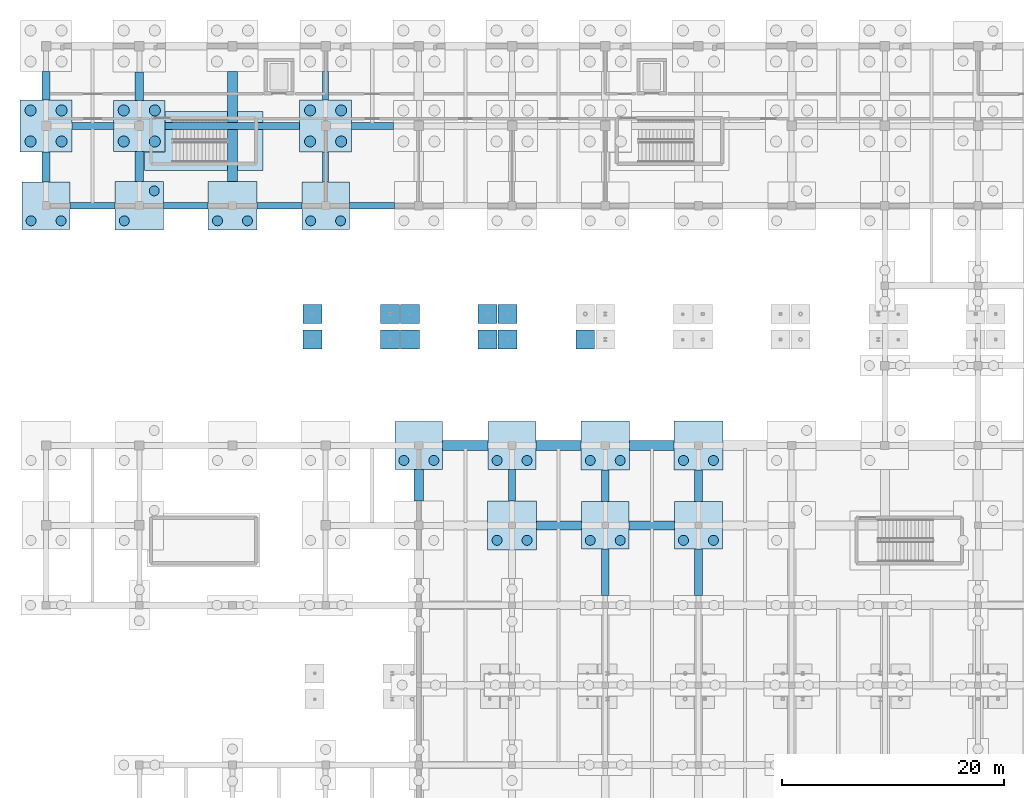
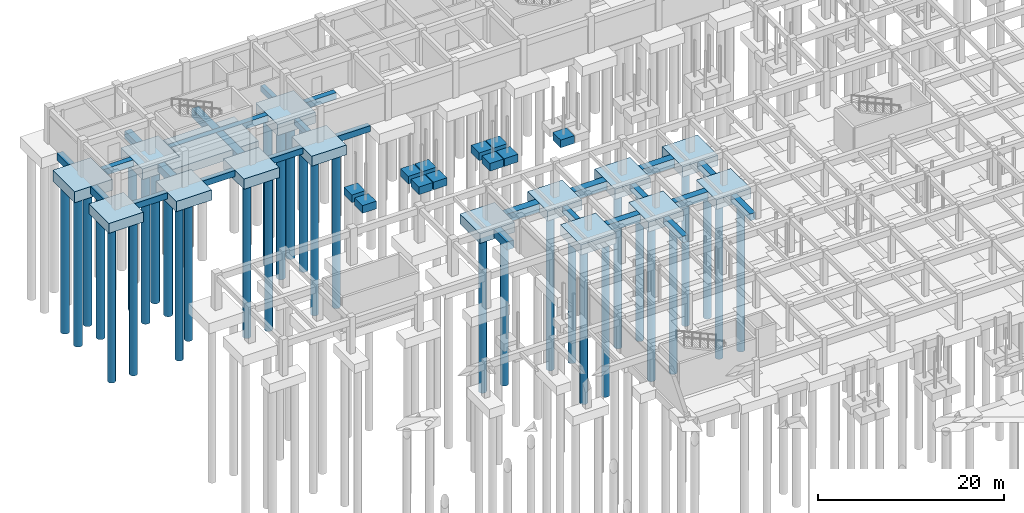
# One storey, part 7 of 80: 51 footings, 34 piles.
"""IFC4 building model written with IfcOpenShell, lengths in metres."""

from ifc_helpers import new_model, si_unit, direction, frame, origin, origin_2d, place, context, subcontext, project, spatial, polyline, rectangle, circle, outline, extrude, material, material_profile, profile_set, type_object, element, save


model = new_model("IFC4")

# Units and contexts
model_context = context("Model", 3, precision=1e-05, world=origin(), true_north=direction((0.0, 1.0)))
body_context = subcontext(model_context, "Body", "Model", "MODEL_VIEW")
ifc_project = project(units=[si_unit("LENGTHUNIT", "METRE"), si_unit("AREAUNIT", "SQUARE_METRE"), si_unit("VOLUMEUNIT", "CUBIC_METRE"), si_unit("PLANEANGLEUNIT", "RADIAN"), si_unit("MASSUNIT", "GRAM", prefix="KILO")], contexts=[model_context])

# Site, building, storey
site_placement = place(None, origin())
site = spatial("IfcSite", under=ifc_project, at=site_placement, CompositionType="ELEMENT")
building_placement = place(site_placement, origin())
building = spatial("IfcBuilding", under=site, at=building_placement, Name="Malvenik Polytechnic", CompositionType="ELEMENT")
storey_placement = place(building_placement, frame((0.0, 0.0, -4.800048828125)))
storey = spatial("IfcBuildingStorey", under=building, at=storey_placement, Name="B1", CompositionType="ELEMENT", Elevation=-4.800048828125)

# Footings
ifc_material = material(Name="Concrete C35/45", Category="concrete")
footing_type_1 = type_object("IfcFootingType", Name="STR-PC-4600x4600x1400", PredefinedType="PILE_CAP", material=ifc_material)
footing_1_placement = place(storey_placement, frame((8.39990234375, 122.39990234375, -1.39990234375), z_axis=(0.0, 0.0, 1.0), x_axis=(1.0, 0.0, 0.0)))
element("IfcFooting", 1, at=footing_1_placement, inside=storey, type_object=footing_type_1, Name="Pile Cap PC-05 #18", PredefinedType="PILE_CAP", context=body_context, shape_type="SweptSolid", body=[
    extrude(rectangle(XDim=4.60009765625, YDim=4.60009765625, at=origin_2d()), origin(), (0.0, 0.0, 1.0), 1.39990234375),
])
footing_type_2 = type_object("IfcFootingType", Name="STR-PC-4700x4700x1450", PredefinedType="PILE_CAP", material=ifc_material)
for number, where, z_axis, x_axis, name in (
    (2, (0.0, 122.39990234375, -1.44970703125), (0.0, 0.0, 1.0), (1.0, 0.0, 0.0), "Pile Cap PC-12 #5"),
    (3, (25.199951171875, 122.39990234375, -1.44970703125), (0.0, 0.0, 1.0), (1.0, 0.0, 0.0), "Pile Cap PC-12 #39"),
):
    element("IfcFooting", number, at=place(storey_placement, frame(where, z_axis=z_axis, x_axis=x_axis)), inside=storey, type_object=footing_type_2, Name=name, PredefinedType="PILE_CAP", context=body_context, shape_type="SweptSolid", body=[
        extrude(rectangle(XDim=4.699951171875, YDim=4.699951171875, at=origin_2d()), origin(), (0.0, 0.0, 1.0), 1.449951171875),
    ])
footing_type_3 = type_object("IfcFootingType", Name="STR-PC-COMB-03", PredefinedType="PILE_CAP", material=ifc_material)
footing_2_placement = place(storey_placement, frame((0.0, 115.199951171875, -1.2998046875), z_axis=(0.0, 0.0, 1.0), x_axis=(1.0, 0.0, 0.0)))
element("IfcFooting", 4, at=footing_2_placement, inside=storey, type_object=footing_type_3, Name="Pile Cap PCC-03 #4", PredefinedType="PILE_CAP", context=body_context, shape_type="SweptSolid", body=[
    extrude(rectangle(XDim=4.300048828125, YDim=4.300048828125, at=origin_2d()), origin(), (0.0, 0.0, 1.0), 1.300048828125),
])
footing_type_4 = type_object("IfcFootingType", Name="STR-PC-COMB-06", PredefinedType="PILE_CAP", material=ifc_material)
footing_3_placement = place(storey_placement, frame((8.39990234375, 115.199951171875, -1.35009765625), z_axis=(0.0, 0.0, 1.0), x_axis=(1.0, 0.0, 0.0)))
element("IfcFooting", 5, at=footing_3_placement, inside=storey, type_object=footing_type_4, Name="Pile Cap PCC-06 #17", PredefinedType="PILE_CAP", context=body_context, shape_type="SweptSolid", body=[
    extrude(rectangle(XDim=4.39990234375, YDim=4.39990234375, at=origin_2d()), origin(), (0.0, 0.0, 1.0), 1.35009765625),
])
footing_type_5 = type_object("IfcFootingType", Name="STR-PC-COMB-08", PredefinedType="PILE_CAP", material=ifc_material)
footing_4_placement = place(storey_placement, frame((16.800048828125, 115.199951171875, -1.35009765625), z_axis=(0.0, 0.0, 1.0), x_axis=(1.0, 0.0, 0.0)))
element("IfcFooting", 6, at=footing_4_placement, inside=storey, type_object=footing_type_5, Name="Pile Cap PCC-08 #27", PredefinedType="PILE_CAP", context=body_context, shape_type="SweptSolid", body=[
    extrude(rectangle(XDim=4.39990234375, YDim=4.39990234375, at=origin_2d()), origin(), (0.0, 0.0, 1.0), 1.35009765625),
])
footing_type_6 = type_object("IfcFootingType", Name="STR-PC-COMB-11", PredefinedType="PILE_CAP", material=ifc_material)
footing_5_placement = place(storey_placement, frame((25.199951171875, 115.199951171875, -1.2998046875), z_axis=(0.0, 0.0, 1.0), x_axis=(1.0, 0.0, 0.0)))
element("IfcFooting", 7, at=footing_5_placement, inside=storey, type_object=footing_type_6, Name="Pile Cap PCC-11 #38", PredefinedType="PILE_CAP", context=body_context, shape_type="SweptSolid", body=[
    extrude(rectangle(XDim=4.300048828125, YDim=4.300048828125, at=origin_2d()), origin(), (0.0, 0.0, 1.0), 1.300048828125),
])
footing_type_7 = type_object("IfcFootingType", Name="STR-PC-COMB-14", PredefinedType="PILE_CAP", material=ifc_material)
footing_6_placement = place(storey_placement, frame((33.60009765625, 93.60009765625, -1.2998046875), z_axis=(0.0, 0.0, 1.0), x_axis=(1.0, 0.0, 0.0)))
element("IfcFooting", 8, at=footing_6_placement, inside=storey, type_object=footing_type_7, Name="Pile Cap PCC-14 #53", PredefinedType="PILE_CAP", context=body_context, shape_type="SweptSolid", body=[
    extrude(rectangle(XDim=4.300048828125, YDim=4.300048828125, at=origin_2d()), origin(), (0.0, 0.0, 1.0), 1.300048828125),
])
footing_type_8 = type_object("IfcFootingType", Name="STR-PC-COMB-16", PredefinedType="PILE_CAP", material=ifc_material)
footing_7_placement = place(storey_placement, frame((42.0, 86.39990234375, -1.35009765625), z_axis=(0.0, 0.0, 1.0), x_axis=(1.0, 0.0, 0.0)))
element("IfcFooting", 9, at=footing_7_placement, inside=storey, type_object=footing_type_8, Name="Pile Cap PCC-16 #64", PredefinedType="PILE_CAP", context=body_context, shape_type="SweptSolid", body=[
    extrude(rectangle(XDim=4.39990234375, YDim=4.39990234375, at=origin_2d()), origin(), (0.0, 0.0, 1.0), 1.35009765625),
])
footing_type_9 = type_object("IfcFootingType", Name="STR-PC-COMB-17", PredefinedType="PILE_CAP", material=ifc_material)
footing_8_placement = place(storey_placement, frame((42.0, 93.60009765625, -1.2998046875), z_axis=(0.0, 0.0, 1.0), x_axis=(1.0, 0.0, 0.0)))
element("IfcFooting", 10, at=footing_8_placement, inside=storey, type_object=footing_type_9, Name="Pile Cap PCC-17 #65", PredefinedType="PILE_CAP", context=body_context, shape_type="SweptSolid", body=[
    extrude(rectangle(XDim=4.300048828125, YDim=4.300048828125, at=origin_2d()), origin(), (0.0, 0.0, 1.0), 1.300048828125),
])
footing_type_10 = type_object("IfcFootingType", Name="STR-PC-COMB-20", PredefinedType="PILE_CAP", material=ifc_material)
footing_9_placement = place(storey_placement, frame((50.39990234375, 86.39990234375, -1.2998046875), z_axis=(0.0, 0.0, 1.0), x_axis=(1.0, 0.0, 0.0)))
element("IfcFooting", 11, at=footing_9_placement, inside=storey, type_object=footing_type_10, Name="Pile Cap PCC-20 #77", PredefinedType="PILE_CAP", context=body_context, shape_type="SweptSolid", body=[
    extrude(rectangle(XDim=4.300048828125, YDim=4.300048828125, at=origin_2d()), origin(), (0.0, 0.0, 1.0), 1.300048828125),
])
footing_type_11 = type_object("IfcFootingType", Name="STR-PC-COMB-21", PredefinedType="PILE_CAP", material=ifc_material)
footing_10_placement = place(storey_placement, frame((50.39990234375, 93.60009765625, -1.35009765625), z_axis=(0.0, 0.0, 1.0), x_axis=(1.0, 0.0, 0.0)))
element("IfcFooting", 12, at=footing_10_placement, inside=storey, type_object=footing_type_11, Name="Pile Cap PCC-21 #78", PredefinedType="PILE_CAP", context=body_context, shape_type="SweptSolid", body=[
    extrude(rectangle(XDim=4.39990234375, YDim=4.39990234375, at=origin_2d()), origin(), (0.0, 0.0, 1.0), 1.35009765625),
])
footing_type_12 = type_object("IfcFootingType", Name="STR-PC-COMB-23", PredefinedType="PILE_CAP", material=ifc_material)
footing_11_placement = place(storey_placement, frame((58.800048828125, 86.39990234375, -1.2998046875), z_axis=(0.0, 0.0, 1.0), x_axis=(1.0, 0.0, 0.0)))
element("IfcFooting", 13, at=footing_11_placement, inside=storey, type_object=footing_type_12, Name="Pile Cap PCC-23 #89", PredefinedType="PILE_CAP", context=body_context, shape_type="SweptSolid", body=[
    extrude(rectangle(XDim=4.300048828125, YDim=4.300048828125, at=origin_2d()), origin(), (0.0, 0.0, 1.0), 1.300048828125),
])
footing_type_13 = type_object("IfcFootingType", Name="STR-PC-COMB-24", PredefinedType="PILE_CAP", material=ifc_material)
footing_12_placement = place(storey_placement, frame((58.800048828125, 93.60009765625, -1.35009765625), z_axis=(0.0, 0.0, 1.0), x_axis=(1.0, 0.0, 0.0)))
element("IfcFooting", 14, at=footing_12_placement, inside=storey, type_object=footing_type_13, Name="Pile Cap PCC-24 #90", PredefinedType="PILE_CAP", context=body_context, shape_type="SweptSolid", body=[
    extrude(rectangle(XDim=4.39990234375, YDim=4.39990234375, at=origin_2d()), origin(), (0.0, 0.0, 1.0), 1.35009765625),
])

# Piles
ifc_material_profile_1 = material_profile(ifc_material, circle(Radius=0.5, at=origin_2d()), Name="BORED PILE D1000")
ifc_profile_set_1 = profile_set([ifc_material_profile_1], Name="Concrete C35/45")
pile_type_1 = type_object("IfcPileType", Name="STR-PL-D1000-196", PredefinedType="BORED", material=ifc_profile_set_1)
for number, where, z_axis, x_axis, name in (
    (15, (-1.39990234375, 121.0, -1.349853515625), (0.0, 0.0, -1.0), (1.0, 0.0, 0.0), "Bored Pile PL-04 #9"),
    (16, (-1.39990234375, 123.800048828125, -1.349853515625), (0.0, 0.0, -1.0), (1.0, 0.0, 0.0), "Bored Pile PL-04 #10"),
    (17, (1.39990234375, 121.0, -1.349853515625), (0.0, 0.0, -1.0), (1.0, 0.0, 0.0), "Bored Pile PL-04 #11"),
    (18, (1.39990234375, 123.800048828125, -1.349853515625), (0.0, 0.0, -1.0), (1.0, 0.0, 0.0), "Bored Pile PL-04 #12"),
    (19, (7.0, 121.0, -1.300048828125), (0.0, 0.0, -1.0), (1.0, 0.0, 0.0), "Bored Pile PL-04 #39"),
    (20, (7.0, 123.800048828125, -1.300048828125), (0.0, 0.0, -1.0), (1.0, 0.0, 0.0), "Bored Pile PL-04 #40"),
    (21, (9.800048828125, 121.0, -1.300048828125), (0.0, 0.0, -1.0), (1.0, 0.0, 0.0), "Bored Pile PL-04 #41"),
    (22, (9.800048828125, 123.800048828125, -1.300048828125), (0.0, 0.0, -1.0), (1.0, 0.0, 0.0), "Bored Pile PL-04 #42"),
    (23, (23.800048828125, 121.0, -1.349853515625), (0.0, 0.0, -1.0), (1.0, 0.0, 0.0), "Bored Pile PL-04 #87"),
    (24, (23.800048828125, 123.800048828125, -1.349853515625), (0.0, 0.0, -1.0), (1.0, 0.0, 0.0), "Bored Pile PL-04 #88"),
    (25, (26.60009765625, 121.0, -1.349853515625), (0.0, 0.0, -1.0), (1.0, 0.0, 0.0), "Bored Pile PL-04 #89"),
    (26, (26.60009765625, 123.800048828125, -1.349853515625), (0.0, 0.0, -1.0), (1.0, 0.0, 0.0), "Bored Pile PL-04 #90"),
):
    element("IfcPile", number, at=place(storey_placement, frame(where, z_axis=z_axis, x_axis=x_axis)), inside=storey, type_object=pile_type_1, Name=name, PredefinedType="BORED", context=body_context, shape_type="SweptSolid", body=[
        extrude(circle(Radius=0.5, at=origin_2d()), origin(), (0.0, 0.0, 1.0), 19.60009765625),
    ])
ifc_material_profile_2 = material_profile(ifc_material, circle(Radius=0.449951171875, at=origin_2d()), Name="BORED PILE D900")
ifc_profile_set_2 = profile_set([ifc_material_profile_2], Name="Concrete C35/45")
pile_type_2 = type_object("IfcPileType", Name="STR-PL-D900-202", PredefinedType="BORED", material=ifc_profile_set_2)
for number, where, z_axis, x_axis, name in (
    (27, (-1.35009765625, 113.85009765625, -1.199951171875), (0.0, 0.0, -1.0), (1.0, 0.0, 0.0), "Bored Pile PL-03 #7"),
    (28, (1.35009765625, 113.85009765625, -1.199951171875), (0.0, 0.0, -1.0), (1.0, 0.0, 0.0), "Bored Pile PL-03 #8"),
    (29, (7.050048828125, 113.85009765625, -1.25), (0.0, 0.0, -1.0), (1.0, 0.0, 0.0), "Bored Pile PL-03 #37"),
    (30, (9.75, 116.550048828125, -1.25), (0.0, 0.0, -1.0), (1.0, 0.0, 0.0), "Bored Pile PL-03 #38"),
    (31, (15.449951171875, 113.85009765625, -1.25), (0.0, 0.0, -1.0), (1.0, 0.0, 0.0), "Bored Pile PL-03 #61"),
    (32, (18.14990234375, 113.85009765625, -1.25), (0.0, 0.0, -1.0), (1.0, 0.0, 0.0), "Bored Pile PL-03 #62"),
    (33, (23.85009765625, 113.85009765625, -1.199951171875), (0.0, 0.0, -1.0), (1.0, 0.0, 0.0), "Bored Pile PL-03 #85"),
    (34, (26.550048828125, 113.85009765625, -1.199951171875), (0.0, 0.0, -1.0), (1.0, 0.0, 0.0), "Bored Pile PL-03 #86"),
    (35, (32.25, 92.25, -1.199951171875), (0.0, 0.0, -1.0), (1.0, 0.0, 0.0), "Bored Pile PL-03 #119"),
    (36, (34.949951171875, 92.25, -1.199951171875), (0.0, 0.0, -1.0), (1.0, 0.0, 0.0), "Bored Pile PL-03 #120"),
    (37, (40.64990234375, 85.050048828125, -1.25), (0.0, 0.0, -1.0), (1.0, 0.0, 0.0), "Bored Pile PL-03 #145"),
    (38, (43.35009765625, 85.050048828125, -1.25), (0.0, 0.0, -1.0), (1.0, 0.0, 0.0), "Bored Pile PL-03 #146"),
    (39, (40.64990234375, 92.25, -1.199951171875), (0.0, 0.0, -1.0), (1.0, 0.0, 0.0), "Bored Pile PL-03 #147"),
    (40, (43.35009765625, 92.25, -1.199951171875), (0.0, 0.0, -1.0), (1.0, 0.0, 0.0), "Bored Pile PL-03 #148"),
    (41, (49.050048828125, 85.050048828125, -1.199951171875), (0.0, 0.0, -1.0), (1.0, 0.0, 0.0), "Bored Pile PL-03 #177"),
    (42, (51.75, 85.050048828125, -1.199951171875), (0.0, 0.0, -1.0), (1.0, 0.0, 0.0), "Bored Pile PL-03 #178"),
    (43, (49.050048828125, 92.25, -1.25), (0.0, 0.0, -1.0), (1.0, 0.0, 0.0), "Bored Pile PL-03 #179"),
    (44, (51.75, 92.25, -1.25), (0.0, 0.0, -1.0), (1.0, 0.0, 0.0), "Bored Pile PL-03 #180"),
    (45, (57.449951171875, 85.050048828125, -1.199951171875), (0.0, 0.0, -1.0), (1.0, 0.0, 0.0), "Bored Pile PL-03 #205"),
    (46, (60.14990234375, 85.050048828125, -1.199951171875), (0.0, 0.0, -1.0), (1.0, 0.0, 0.0), "Bored Pile PL-03 #206"),
    (47, (57.449951171875, 92.25, -1.25), (0.0, 0.0, -1.0), (1.0, 0.0, 0.0), "Bored Pile PL-03 #207"),
    (48, (60.14990234375, 92.25, -1.25), (0.0, 0.0, -1.0), (1.0, 0.0, 0.0), "Bored Pile PL-03 #208"),
):
    element("IfcPile", number, at=place(storey_placement, frame(where, z_axis=z_axis, x_axis=x_axis)), inside=storey, type_object=pile_type_2, Name=name, PredefinedType="BORED", context=body_context, shape_type="SweptSolid", body=[
        extrude(circle(Radius=0.449951171875, at=origin_2d()), origin(), (0.0, 0.0, 1.0), 20.199951171875),
    ])

# Footings
footing_type_14 = type_object("IfcFootingType", Name="STR-SF-550x750", PredefinedType="STRIP_FOOTING", material=ifc_material)
footing_13_placement = place(storey_placement, frame((0.0, 0.0, -0.75)))
element("IfcFooting", 49, at=footing_13_placement, inside=storey, type_object=footing_type_14, Name="Ground Tie Beam SF-07 #180", PredefinedType="STRIP_FOOTING", context=body_context, shape_type="SweptSolid", body=[
    extrude(outline(polyline([(24.925048828125, 117.35009765625), (25.47509765625, 117.35009765625), (25.47509765625, 120.050048828125), (24.925048828125, 120.050048828125), (24.925048828125, 117.35009765625)])), origin(), (0.0, 0.0, 1.0), 0.75),
])
footing_14_placement = place(storey_placement, frame((0.0, 0.0, -0.75)))
element("IfcFooting", 50, at=footing_14_placement, inside=storey, type_object=footing_type_14, Name="Ground Tie Beam SF-07 #181", PredefinedType="STRIP_FOOTING", context=body_context, shape_type="SweptSolid", body=[
    extrude(outline(polyline([(24.925048828125, 124.75), (25.47509765625, 124.75), (25.47509765625, 127.300048828125), (24.925048828125, 127.300048828125), (24.925048828125, 124.75)])), origin(), (0.0, 0.0, 1.0), 0.75),
])
footing_type_15 = type_object("IfcFootingType", Name="STR-SF-600x800", PredefinedType="STRIP_FOOTING", material=ifc_material)
footing_15_placement = place(storey_placement, frame((0.0, 0.0, -0.800048828125)))
element("IfcFooting", 51, at=footing_15_placement, inside=storey, type_object=footing_type_15, Name="Ground Tie Beam SF-01 #129", PredefinedType="STRIP_FOOTING", context=body_context, shape_type="SweptSolid", body=[
    extrude(outline(polyline([(2.14990234375, 114.89990234375), (6.199951171875, 114.89990234375), (6.199951171875, 115.5), (2.14990234375, 115.5), (2.14990234375, 114.89990234375)])), origin(), (0.0, 0.0, 1.0), 0.800048828125),
])
footing_16_placement = place(storey_placement, frame((0.0, 0.0, -0.800048828125)))
element("IfcFooting", 52, at=footing_16_placement, inside=storey, type_object=footing_type_15, Name="Ground Tie Beam SF-01 #130", PredefinedType="STRIP_FOOTING", context=body_context, shape_type="SweptSolid", body=[
    extrude(outline(polyline([(10.60009765625, 114.89990234375), (14.60009765625, 114.89990234375), (14.60009765625, 115.5), (10.60009765625, 115.5), (10.60009765625, 114.89990234375)])), origin(), (0.0, 0.0, 1.0), 0.800048828125),
])
footing_17_placement = place(storey_placement, frame((0.0, 0.0, -0.800048828125)))
element("IfcFooting", 53, at=footing_17_placement, inside=storey, type_object=footing_type_15, Name="Ground Tie Beam SF-01 #131", PredefinedType="STRIP_FOOTING", context=body_context, shape_type="SweptSolid", body=[
    extrude(outline(polyline([(19.0, 114.89990234375), (23.050048828125, 114.89990234375), (23.050048828125, 115.5), (19.0, 115.5), (19.0, 114.89990234375)])), origin(), (0.0, 0.0, 1.0), 0.800048828125),
])
footing_18_placement = place(storey_placement, frame((0.0, 0.0, -0.800048828125)))
element("IfcFooting", 54, at=footing_18_placement, inside=storey, type_object=footing_type_15, Name="Ground Tie Beam SF-01 #132", PredefinedType="STRIP_FOOTING", context=body_context, shape_type="SweptSolid", body=[
    extrude(outline(polyline([(27.35009765625, 114.89990234375), (31.39990234375, 114.89990234375), (31.39990234375, 115.5), (27.35009765625, 115.5), (27.35009765625, 114.89990234375)])), origin(), (0.0, 0.0, 1.0), 0.800048828125),
])
footing_19_placement = place(storey_placement, frame((0.0, 0.0, -0.800048828125)))
element("IfcFooting", 55, at=footing_19_placement, inside=storey, type_object=footing_type_15, Name="Ground Tie Beam SF-01 #199", PredefinedType="STRIP_FOOTING", context=body_context, shape_type="SweptSolid", body=[
    extrude(outline(polyline([(41.699951171875, 88.60009765625), (42.300048828125, 88.60009765625), (42.300048828125, 91.449951171875), (41.699951171875, 91.449951171875), (41.699951171875, 88.60009765625)])), origin(), (0.0, 0.0, 1.0), 0.800048828125),
])
footing_type_16 = type_object("IfcFootingType", Name="STR-SF-650x850", PredefinedType="STRIP_FOOTING", material=ifc_material)
footing_20_placement = place(storey_placement, frame((0.0, 0.0, -0.849853515625)))
element("IfcFooting", 56, at=footing_20_placement, inside=storey, type_object=footing_type_16, Name="Ground Tie Beam SF-02 #145", PredefinedType="STRIP_FOOTING", context=body_context, shape_type="SweptSolid", body=[
    extrude(outline(polyline([(2.35009765625, 122.074951171875), (6.10009765625, 122.074951171875), (6.10009765625, 122.72509765625), (2.35009765625, 122.72509765625), (2.35009765625, 122.074951171875)])), origin(), (0.0, 0.0, 1.0), 0.849853515625),
])
footing_21_placement = place(storey_placement, frame((0.0, 0.0, -0.849853515625)))
element("IfcFooting", 57, at=footing_21_placement, inside=storey, type_object=footing_type_16, Name="Ground Tie Beam SF-02 #146", PredefinedType="STRIP_FOOTING", context=body_context, shape_type="SweptSolid", body=[
    extrude(outline(polyline([(10.699951171875, 122.074951171875), (22.85009765625, 122.074951171875), (22.85009765625, 122.72509765625), (10.699951171875, 122.72509765625), (10.699951171875, 122.074951171875)])), origin(), (0.0, 0.0, 1.0), 0.849853515625),
])
footing_22_placement = place(storey_placement, frame((0.0, 0.0, -0.849853515625)))
element("IfcFooting", 58, at=footing_22_placement, inside=storey, type_object=footing_type_16, Name="Ground Tie Beam SF-02 #147", PredefinedType="STRIP_FOOTING", context=body_context, shape_type="SweptSolid", body=[
    extrude(outline(polyline([(27.550048828125, 122.074951171875), (31.300048828125, 122.074951171875), (31.300048828125, 122.72509765625), (27.550048828125, 122.72509765625), (27.550048828125, 122.074951171875)])), origin(), (0.0, 0.0, 1.0), 0.849853515625),
])
footing_23_placement = place(storey_placement, frame((0.0, 0.0, -0.849853515625)))
element("IfcFooting", 59, at=footing_23_placement, inside=storey, type_object=footing_type_16, Name="Ground Tie Beam SF-02 #208", PredefinedType="STRIP_FOOTING", context=body_context, shape_type="SweptSolid", body=[
    extrude(outline(polyline([(50.074951171875, 80.10009765625), (50.72509765625, 80.10009765625), (50.72509765625, 84.25), (50.074951171875, 84.25), (50.074951171875, 80.10009765625)])), origin(), (0.0, 0.0, 1.0), 0.849853515625),
])
footing_24_placement = place(storey_placement, frame((0.0, 0.0, -0.849853515625)))
element("IfcFooting", 60, at=footing_24_placement, inside=storey, type_object=footing_type_16, Name="Ground Tie Beam SF-02 #209", PredefinedType="STRIP_FOOTING", context=body_context, shape_type="SweptSolid", body=[
    extrude(outline(polyline([(50.074951171875, 88.550048828125), (50.72509765625, 88.550048828125), (50.72509765625, 91.39990234375), (50.074951171875, 91.39990234375), (50.074951171875, 88.550048828125)])), origin(), (0.0, 0.0, 1.0), 0.849853515625),
])
footing_type_17 = type_object("IfcFootingType", Name="STR-SF-700x900", PredefinedType="STRIP_FOOTING", material=ifc_material)
footing_25_placement = place(storey_placement, frame((0.0, 0.0, -0.89990234375)))
element("IfcFooting", 61, at=footing_25_placement, inside=storey, type_object=footing_type_17, Name="Ground Tie Beam SF-03 #217", PredefinedType="STRIP_FOOTING", context=body_context, shape_type="SweptSolid", body=[
    extrude(outline(polyline([(58.449951171875, 80.10009765625), (59.14990234375, 80.10009765625), (59.14990234375, 84.25), (58.449951171875, 84.25), (58.449951171875, 80.10009765625)])), origin(), (0.0, 0.0, 1.0), 0.89990234375),
])
footing_26_placement = place(storey_placement, frame((0.0, 0.0, -0.89990234375)))
element("IfcFooting", 62, at=footing_26_placement, inside=storey, type_object=footing_type_17, Name="Ground Tie Beam SF-03 #218", PredefinedType="STRIP_FOOTING", context=body_context, shape_type="SweptSolid", body=[
    extrude(outline(polyline([(58.449951171875, 88.550048828125), (59.14990234375, 88.550048828125), (59.14990234375, 91.39990234375), (58.449951171875, 91.39990234375), (58.449951171875, 88.550048828125)])), origin(), (0.0, 0.0, 1.0), 0.89990234375),
])
footing_type_18 = type_object("IfcFootingType", Name="STR-SF-750x950", PredefinedType="STRIP_FOOTING", material=ifc_material)
footing_27_placement = place(storey_placement, frame((0.0, 0.0, -0.949951171875)))
element("IfcFooting", 63, at=footing_27_placement, inside=storey, type_object=footing_type_18, Name="Ground Tie Beam SF-04 #175", PredefinedType="STRIP_FOOTING", context=body_context, shape_type="SweptSolid", body=[
    extrude(outline(polyline([(-0.375, 117.35009765625), (0.375, 117.35009765625), (0.375, 120.050048828125), (-0.375, 120.050048828125), (-0.375, 117.35009765625)])), origin(), (0.0, 0.0, 1.0), 0.949951171875),
])
footing_28_placement = place(storey_placement, frame((0.0, 0.0, -0.949951171875)))
element("IfcFooting", 64, at=footing_28_placement, inside=storey, type_object=footing_type_18, Name="Ground Tie Beam SF-04 #176", PredefinedType="STRIP_FOOTING", context=body_context, shape_type="SweptSolid", body=[
    extrude(outline(polyline([(-0.375, 124.75), (0.375, 124.75), (0.375, 127.300048828125), (-0.375, 127.300048828125), (-0.375, 124.75)])), origin(), (0.0, 0.0, 1.0), 0.949951171875),
])
footing_type_19 = type_object("IfcFootingType", Name="STR-SF-800x1000", PredefinedType="STRIP_FOOTING", material=ifc_material)
footing_29_placement = place(storey_placement, frame((0.0, 0.0, -1.0)))
element("IfcFooting", 65, at=footing_29_placement, inside=storey, type_object=footing_type_19, Name="Ground Tie Beam SF-05 #107", PredefinedType="STRIP_FOOTING", context=body_context, shape_type="SweptSolid", body=[
    extrude(outline(polyline([(44.199951171875, 86.0), (48.25, 86.0), (48.25, 86.800048828125), (44.199951171875, 86.800048828125), (44.199951171875, 86.0)])), origin(), (0.0, 0.0, 1.0), 1.0),
])
footing_30_placement = place(storey_placement, frame((0.0, 0.0, -1.0)))
element("IfcFooting", 66, at=footing_30_placement, inside=storey, type_object=footing_type_19, Name="Ground Tie Beam SF-05 #108", PredefinedType="STRIP_FOOTING", context=body_context, shape_type="SweptSolid", body=[
    extrude(outline(polyline([(52.550048828125, 86.0), (56.64990234375, 86.0), (56.64990234375, 86.800048828125), (52.550048828125, 86.800048828125), (52.550048828125, 86.0)])), origin(), (0.0, 0.0, 1.0), 1.0),
])
footing_31_placement = place(storey_placement, frame((0.0, 0.0, -1.0)))
element("IfcFooting", 67, at=footing_31_placement, inside=storey, type_object=footing_type_19, Name="Ground Tie Beam SF-05 #177", PredefinedType="STRIP_FOOTING", context=body_context, shape_type="SweptSolid", body=[
    extrude(outline(polyline([(8.0, 117.39990234375), (8.800048828125, 117.39990234375), (8.800048828125, 120.10009765625), (8.0, 120.10009765625), (8.0, 117.39990234375)])), origin(), (0.0, 0.0, 1.0), 1.0),
])
footing_32_placement = place(storey_placement, frame((0.0, 0.0, -1.0)))
element("IfcFooting", 68, at=footing_32_placement, inside=storey, type_object=footing_type_19, Name="Ground Tie Beam SF-05 #178", PredefinedType="STRIP_FOOTING", context=body_context, shape_type="SweptSolid", body=[
    extrude(outline(polyline([(8.0, 124.699951171875), (8.800048828125, 124.699951171875), (8.800048828125, 127.25), (8.0, 127.25), (8.0, 124.699951171875)])), origin(), (0.0, 0.0, 1.0), 1.0),
])
footing_33_placement = place(storey_placement, frame((0.0, 0.0, -1.0)))
element("IfcFooting", 69, at=footing_33_placement, inside=storey, type_object=footing_type_19, Name="Bridge-Ramp Pier Footing #97.1", PredefinedType="STRIP_FOOTING", context=body_context, shape_type="SweptSolid", body=[
    extrude(outline(polyline([(23.14990234375, 102.300048828125), (23.14990234375, 104.0), (24.85009765625, 104.0), (24.85009765625, 102.300048828125), (23.14990234375, 102.300048828125)])), origin(), (0.0, 0.0, 1.0), 1.0),
])
footing_34_placement = place(storey_placement, frame((0.0, 0.0, -1.0)))
element("IfcFooting", 70, at=footing_34_placement, inside=storey, type_object=footing_type_19, Name="Bridge-Ramp Pier Footing #98.1", PredefinedType="STRIP_FOOTING", context=body_context, shape_type="SweptSolid", body=[
    extrude(outline(polyline([(23.14990234375, 104.60009765625), (23.14990234375, 106.300048828125), (24.85009765625, 106.300048828125), (24.85009765625, 104.60009765625), (23.14990234375, 104.60009765625)])), origin(), (0.0, 0.0, 1.0), 1.0),
])
footing_35_placement = place(storey_placement, frame((0.0, 0.0, -1.0)))
element("IfcFooting", 71, at=footing_35_placement, inside=storey, type_object=footing_type_19, Name="Bridge-Ramp Pier Footing #99.1", PredefinedType="STRIP_FOOTING", context=body_context, shape_type="SweptSolid", body=[
    extrude(outline(polyline([(30.14990234375, 102.300048828125), (30.14990234375, 104.0), (31.85009765625, 104.0), (31.85009765625, 102.300048828125), (30.14990234375, 102.300048828125)])), origin(), (0.0, 0.0, 1.0), 1.0),
])
footing_36_placement = place(storey_placement, frame((0.0, 0.0, -1.0)))
element("IfcFooting", 72, at=footing_36_placement, inside=storey, type_object=footing_type_19, Name="Bridge-Ramp Pier Footing #100.1", PredefinedType="STRIP_FOOTING", context=body_context, shape_type="SweptSolid", body=[
    extrude(outline(polyline([(30.14990234375, 104.60009765625), (30.14990234375, 106.300048828125), (31.85009765625, 106.300048828125), (31.85009765625, 104.60009765625), (30.14990234375, 104.60009765625)])), origin(), (0.0, 0.0, 1.0), 1.0),
])
footing_37_placement = place(storey_placement, frame((0.0, 0.0, -1.0)))
element("IfcFooting", 73, at=footing_37_placement, inside=storey, type_object=footing_type_19, Name="Bridge-Ramp Pier Footing #101.1", PredefinedType="STRIP_FOOTING", context=body_context, shape_type="SweptSolid", body=[
    extrude(outline(polyline([(31.949951171875, 102.300048828125), (31.949951171875, 104.0), (33.64990234375, 104.0), (33.64990234375, 102.300048828125), (31.949951171875, 102.300048828125)])), origin(), (0.0, 0.0, 1.0), 1.0),
])
footing_38_placement = place(storey_placement, frame((0.0, 0.0, -1.0)))
element("IfcFooting", 74, at=footing_38_placement, inside=storey, type_object=footing_type_19, Name="Bridge-Ramp Pier Footing #102.1", PredefinedType="STRIP_FOOTING", context=body_context, shape_type="SweptSolid", body=[
    extrude(outline(polyline([(31.949951171875, 104.60009765625), (31.949951171875, 106.300048828125), (33.64990234375, 106.300048828125), (33.64990234375, 104.60009765625), (31.949951171875, 104.60009765625)])), origin(), (0.0, 0.0, 1.0), 1.0),
])
footing_39_placement = place(storey_placement, frame((0.0, 0.0, -1.0)))
element("IfcFooting", 75, at=footing_39_placement, inside=storey, type_object=footing_type_19, Name="Bridge-Ramp Pier Footing #103.1", PredefinedType="STRIP_FOOTING", context=body_context, shape_type="SweptSolid", body=[
    extrude(outline(polyline([(38.949951171875, 102.300048828125), (38.949951171875, 104.0), (40.64990234375, 104.0), (40.64990234375, 102.300048828125), (38.949951171875, 102.300048828125)])), origin(), (0.0, 0.0, 1.0), 1.0),
])
footing_40_placement = place(storey_placement, frame((0.0, 0.0, -1.0)))
element("IfcFooting", 76, at=footing_40_placement, inside=storey, type_object=footing_type_19, Name="Bridge-Ramp Pier Footing #104.1", PredefinedType="STRIP_FOOTING", context=body_context, shape_type="SweptSolid", body=[
    extrude(outline(polyline([(38.949951171875, 104.60009765625), (38.949951171875, 106.300048828125), (40.64990234375, 106.300048828125), (40.64990234375, 104.60009765625), (38.949951171875, 104.60009765625)])), origin(), (0.0, 0.0, 1.0), 1.0),
])
footing_41_placement = place(storey_placement, frame((0.0, 0.0, -1.0)))
element("IfcFooting", 77, at=footing_41_placement, inside=storey, type_object=footing_type_19, Name="Bridge-Ramp Pier Footing #105.1", PredefinedType="STRIP_FOOTING", context=body_context, shape_type="SweptSolid", body=[
    extrude(outline(polyline([(40.75, 102.300048828125), (40.75, 104.0), (42.449951171875, 104.0), (42.449951171875, 102.300048828125), (40.75, 102.300048828125)])), origin(), (0.0, 0.0, 1.0), 1.0),
])
footing_42_placement = place(storey_placement, frame((0.0, 0.0, -1.0)))
element("IfcFooting", 78, at=footing_42_placement, inside=storey, type_object=footing_type_19, Name="Bridge-Ramp Pier Footing #106.1", PredefinedType="STRIP_FOOTING", context=body_context, shape_type="SweptSolid", body=[
    extrude(outline(polyline([(40.75, 104.60009765625), (40.75, 106.300048828125), (42.449951171875, 106.300048828125), (42.449951171875, 104.60009765625), (40.75, 104.60009765625)])), origin(), (0.0, 0.0, 1.0), 1.0),
])
footing_43_placement = place(storey_placement, frame((0.0, 0.0, -1.0)))
element("IfcFooting", 79, at=footing_43_placement, inside=storey, type_object=footing_type_19, Name="Bridge-Ramp Pier Footing #107.1", PredefinedType="STRIP_FOOTING", context=body_context, shape_type="SweptSolid", body=[
    extrude(outline(polyline([(47.75, 102.300048828125), (47.75, 104.0), (49.449951171875, 104.0), (49.449951171875, 102.300048828125), (47.75, 102.300048828125)])), origin(), (0.0, 0.0, 1.0), 1.0),
])
footing_type_20 = type_object("IfcFootingType", Name="STR-SF-850x1050", PredefinedType="STRIP_FOOTING", material=ifc_material)
footing_44_placement = place(storey_placement, frame((0.0, 0.0, -1.050048828125)))
element("IfcFooting", 80, at=footing_44_placement, inside=storey, type_object=footing_type_20, Name="Ground Tie Beam SF-08 #190", PredefinedType="STRIP_FOOTING", context=body_context, shape_type="SweptSolid", body=[
    extrude(outline(polyline([(33.175048828125, 88.60009765625), (34.02490234375, 88.60009765625), (34.02490234375, 91.449951171875), (33.175048828125, 91.449951171875), (33.175048828125, 88.60009765625)])), origin(), (0.0, 0.0, 1.0), 1.050048828125),
])
footing_type_21 = type_object("IfcFootingType", Name="STR-SF-900x1100", PredefinedType="STRIP_FOOTING", material=ifc_material)
footing_45_placement = place(storey_placement, frame((0.0, 0.0, -1.099853515625)))
element("IfcFooting", 81, at=footing_45_placement, inside=storey, type_object=footing_type_21, Name="Ground Tie Beam SF-06 #117", PredefinedType="STRIP_FOOTING", context=body_context, shape_type="SweptSolid", body=[
    extrude(outline(polyline([(35.75, 93.14990234375), (39.85009765625, 93.14990234375), (39.85009765625, 94.050048828125), (35.75, 94.050048828125), (35.75, 93.14990234375)])), origin(), (0.0, 0.0, 1.0), 1.099853515625),
])
footing_46_placement = place(storey_placement, frame((0.0, 0.0, -1.099853515625)))
element("IfcFooting", 82, at=footing_46_placement, inside=storey, type_object=footing_type_21, Name="Ground Tie Beam SF-06 #118", PredefinedType="STRIP_FOOTING", context=body_context, shape_type="SweptSolid", body=[
    extrude(outline(polyline([(44.14990234375, 93.14990234375), (48.199951171875, 93.14990234375), (48.199951171875, 94.050048828125), (44.14990234375, 94.050048828125), (44.14990234375, 93.14990234375)])), origin(), (0.0, 0.0, 1.0), 1.099853515625),
])
footing_47_placement = place(storey_placement, frame((0.0, 0.0, -1.099853515625)))
element("IfcFooting", 83, at=footing_47_placement, inside=storey, type_object=footing_type_21, Name="Ground Tie Beam SF-06 #119", PredefinedType="STRIP_FOOTING", context=body_context, shape_type="SweptSolid", body=[
    extrude(outline(polyline([(52.60009765625, 93.14990234375), (56.60009765625, 93.14990234375), (56.60009765625, 94.050048828125), (52.60009765625, 94.050048828125), (52.60009765625, 93.14990234375)])), origin(), (0.0, 0.0, 1.0), 1.099853515625),
])
footing_48_placement = place(storey_placement, frame((0.0, 0.0, -1.099853515625)))
element("IfcFooting", 84, at=footing_48_placement, inside=storey, type_object=footing_type_21, Name="Ground Tie Beam SF-06 #179", PredefinedType="STRIP_FOOTING", context=body_context, shape_type="SweptSolid", body=[
    extrude(outline(polyline([(16.35009765625, 117.39990234375), (17.25, 117.39990234375), (17.25, 127.300048828125), (16.35009765625, 127.300048828125), (16.35009765625, 117.39990234375)])), origin(), (0.0, 0.0, 1.0), 1.099853515625),
])
footing_49_placement = place(storey_placement, frame((0.0, 0.0, -1.099853515625)))
element("IfcFooting", 85, at=footing_49_placement, inside=storey, type_object=footing_type_21, Name="Core Wall Strip Footing #323", PredefinedType="STRIP_FOOTING", context=body_context, shape_type="SweptSolid", body=[
    extrude(outline(polyline([(19.550048828125, 123.699951171875), (19.550048828125, 118.39990234375), (8.85009765625, 118.39990234375), (8.85009765625, 120.070068359375), (10.699951171875, 120.070068359375), (10.702880859375, 120.070068359375), (10.705810546875, 120.070556640625), (10.708740234375, 120.0712890625), (10.71142578125, 120.072265625), (10.714111328125, 120.073486328125), (10.716796875, 120.0751953125), (10.718994140625, 120.076904296875), (10.72119140625, 120.078857421875), (10.72314453125, 120.0810546875), (10.724853515625, 120.083251953125), (10.7265625, 120.0859375), (10.727783203125, 120.08837890625), (10.728759765625, 120.09130859375), (10.7294921875, 120.093994140625), (10.72998046875, 120.09716796875), (10.72998046875, 120.10009765625), (10.72998046875, 123.699951171875), (19.550048828125, 123.699951171875)])), origin(), (0.0, 0.0, 1.0), 1.099853515625),
])

save(model, "model.ifc")
